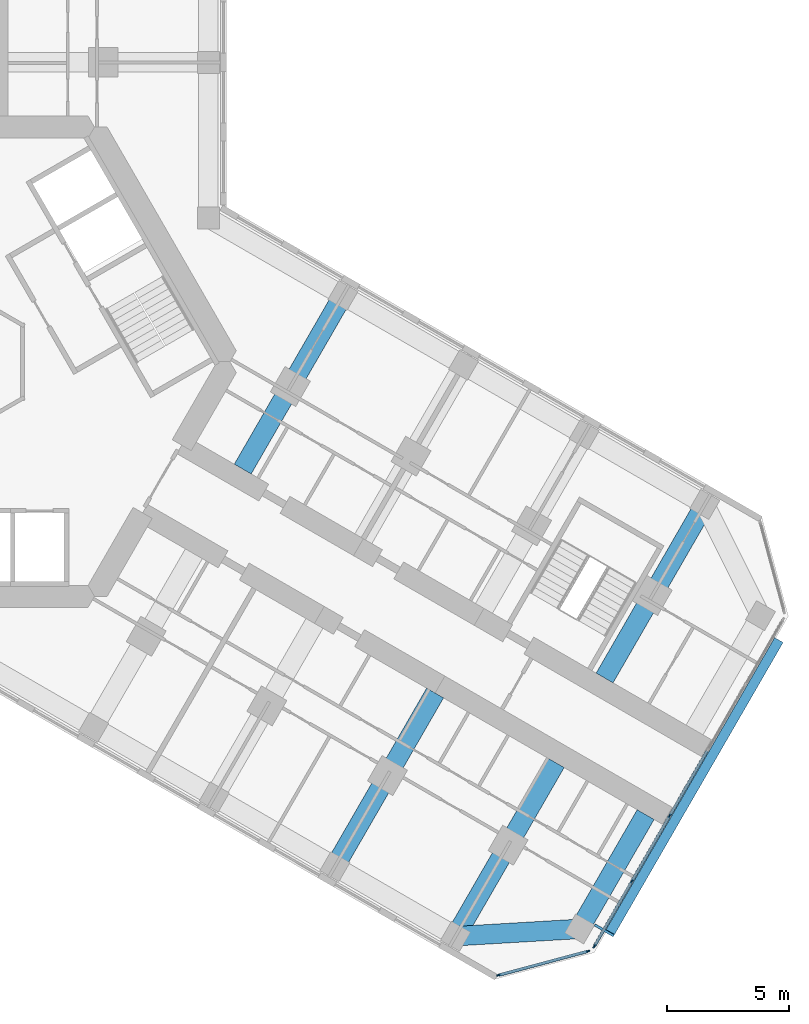
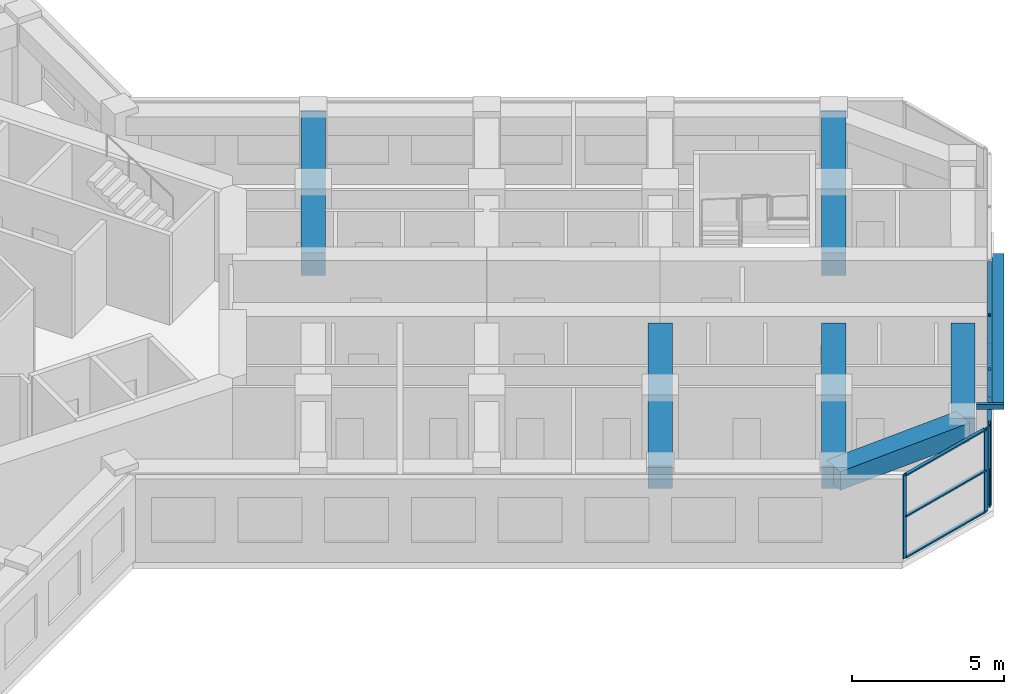
# One storey, part 5 of 19: 16 members, 6 beams, 2 elements without a shape of their own.
"""IFC4 building model written with IfcOpenShell, lengths in metres."""

from ifc_helpers import new_model, si_unit, direction, frame, origin, origin_2d, place, context, subcontext, project, spatial, rectangle, hollow_rectangle, extrude, material, material_profile, profile_set, type_object, element, aggregate, save


model = new_model("IFC4")

# Units and contexts
model_context = context("Model", 3, precision=1e-05, world=origin(), true_north=direction((0.0, 1.0)))
body_context = subcontext(model_context, "Body", "Model", "MODEL_VIEW")
ifc_project = project(units=[si_unit("LENGTHUNIT", "METRE"), si_unit("AREAUNIT", "SQUARE_METRE"), si_unit("VOLUMEUNIT", "CUBIC_METRE"), si_unit("PLANEANGLEUNIT", "RADIAN"), si_unit("MASSUNIT", "GRAM", prefix="KILO")], contexts=[model_context])

# Site, building, storey
site_placement = place(None, origin())
site = spatial("IfcSite", under=ifc_project, at=site_placement, CompositionType="ELEMENT")
building_placement = place(site_placement, origin())
building = spatial("IfcBuilding", under=site, at=building_placement, Name="Kosmar Iwan School Tower", CompositionType="ELEMENT")
storey_placement = place(building_placement, frame((0.0, 0.0, 165.199951171875)))
storey = spatial("IfcBuildingStorey", under=building, at=storey_placement, Name="L41", CompositionType="ELEMENT", Elevation=165.199951171875)

# Members
ifc_material_1 = material(Name="Black anodised aluminium", Category="aluminium")
ifc_material_profile_1 = material_profile(ifc_material_1, rectangle(XDim=0.10009765625, YDim=0.39990234375, at=origin_2d()), Name="FIN 100x400")
ifc_profile_set_1 = profile_set([ifc_material_profile_1], Name="Black anodised aluminium")
member_type_1 = type_object("IfcMemberType", Name="Diagonal fin 100x400", PredefinedType="USERDEFINED", material=ifc_profile_set_1)
member_1_placement = place(storey_placement, frame((33.54345703125, -11.40087890625, -0.14990234375), z_axis=(-0.483795538458, -0.837973939202, 0.252470897702), x_axis=(0.126233699175, 0.218647221293, 0.967604488318)))
element("IfcMember", 1, at=member_1_placement, inside=storey, type_object=member_type_1, Name="Diagonal fin L41-F03", ObjectType="FIN", PredefinedType="USERDEFINED", context=body_context, shape_type="SweptSolid", body=[
    extrude(rectangle(XDim=0.10009765625, YDim=0.39990234375, at=origin_2d()), origin(), (0.0, 0.0, 1.0), 14.258544921875),
])
ifc_material_2 = material(Name="Steel S355", Category="steel")
ifc_material_profile_2 = material_profile(ifc_material_2, hollow_rectangle(XDim=0.10009765625, YDim=0.199951171875, WallThickness=0.008056640625, at=origin_2d()), Name="RHS 200x100x8")
ifc_profile_set_2 = profile_set([ifc_material_profile_2], Name="Steel S355")
member_type_2 = type_object("IfcMemberType", Name="Fin bracket RHS 200x100", PredefinedType="USERDEFINED", material=ifc_profile_set_2)
member_2_placement = place(storey_placement, frame((26.01318359375, -23.0439453125, 3.47509765625), z_axis=(0.866013897511, -0.50001992892, 0.0), x_axis=(0.50001992892, 0.866013897511, 0.0)))
element("IfcMember", 2, at=member_2_placement, inside=storey, type_object=member_type_2, Name="Fin bracket L42", ObjectType="FIN BRACKET", PredefinedType="USERDEFINED", context=body_context, shape_type="SweptSolid", body=[
    extrude(hollow_rectangle(XDim=0.10009765625, YDim=0.199951171875, WallThickness=0.008056640625, at=origin_2d()), origin(), (0.0, 0.0, 1.0), 0.89990234375),
])

# Curtain wall, members
ifc_material_3 = material(Name="Dark glass in black aluminium frame", Category="aluminium")
curtain_wall_type_1 = type_object("IfcCurtainWallType", Name="Chamfer curtain wall dark glass", PredefinedType="USERDEFINED", material=ifc_material_3)
curtain_wall_1_placement = place(storey_placement, origin())
curtain_wall_1 = element("IfcCurtainWall", 3, at=curtain_wall_1_placement, inside=storey, type_object=curtain_wall_type_1, Name="Curtain wall L41-F02", ObjectType="FACETED CURTAIN WALL", PredefinedType="USERDEFINED")
ifc_material_4 = material(Name="Black anodised aluminium", Category="aluminium")
ifc_material_profile_3 = material_profile(ifc_material_4, rectangle(XDim=0.06005859375, YDim=0.159912109375, at=origin_2d()), Name="MULLION 60x160")
ifc_profile_set_3 = profile_set([ifc_material_profile_3], Name="Black anodised aluminium")
member_type_3 = type_object("IfcMemberType", Name="Mullion 60x160", PredefinedType="MULLION", material=ifc_profile_set_3)
member_3_placement = place(storey_placement, frame((22.0830078125, -25.102294921875, 0.0), z_axis=(0.0, 0.0, 1.0), x_axis=(-0.258818861462, 0.965925875495, 0.0)))
member_3 = element("IfcMember", 4, at=member_3_placement, type_object=member_type_3, Name="CW2 mullion 1", PredefinedType="MULLION", context=body_context, shape_type="SweptSolid", body=[
    extrude(rectangle(XDim=0.06005859375, YDim=0.159912109375, at=origin_2d()), origin(), (0.0, 0.0, 1.0), 3.35009765625),
])
member_4_placement = place(storey_placement, frame((25.733154296875, -24.124267578125, 0.0), z_axis=(0.0, 0.0, 1.0), x_axis=(-0.258818861462, 0.965925875495, 0.0)))
member_4 = element("IfcMember", 5, at=member_4_placement, type_object=member_type_3, Name="CW2 mullion 2", PredefinedType="MULLION", context=body_context, shape_type="SweptSolid", body=[
    extrude(rectangle(XDim=0.06005859375, YDim=0.159912109375, at=origin_2d()), origin(), (0.0, 0.0, 1.0), 3.35009765625),
])

ifc_material_5 = material(Name="Dark glass in black aluminium frame", Category="aluminium")
curtain_wall_type_2 = type_object("IfcCurtainWallType", Name="Tower curtain wall dark glass", PredefinedType="USERDEFINED", material=ifc_material_5)
curtain_wall_2_placement = place(storey_placement, origin())
curtain_wall_2 = element("IfcCurtainWall", 6, at=curtain_wall_2_placement, inside=storey, type_object=curtain_wall_type_2, Name="Curtain wall L41-F03", ObjectType="UNITISED CURTAIN WALL", PredefinedType="USERDEFINED")
member_5_placement = place(storey_placement, frame((25.9970703125, -23.921630859375, 0.0), z_axis=(0.0, 0.0, 1.0), x_axis=(-0.866025405329, 0.499999997325, 0.0)))
member_5 = element("IfcMember", 7, at=member_5_placement, type_object=member_type_3, Name="CW1 mullion 1", PredefinedType="MULLION", context=body_context, shape_type="SweptSolid", body=[
    extrude(rectangle(XDim=0.06005859375, YDim=0.159912109375, at=origin_2d()), origin(), (0.0, 0.0, 1.0), 3.35009765625),
])
member_6_placement = place(storey_placement, frame((27.53173828125, -21.263671875, 0.0), z_axis=(0.0, 0.0, 1.0), x_axis=(-0.866025405329, 0.499999997325, 0.0)))
member_6 = element("IfcMember", 8, at=member_6_placement, type_object=member_type_3, Name="CW1 mullion 2", PredefinedType="MULLION", context=body_context, shape_type="SweptSolid", body=[
    extrude(rectangle(XDim=0.06005859375, YDim=0.159912109375, at=origin_2d()), origin(), (0.0, 0.0, 1.0), 3.35009765625),
])
member_7_placement = place(storey_placement, frame((29.081298828125, -18.57958984375, 0.0), z_axis=(0.0, 0.0, 1.0), x_axis=(-0.866025405329, 0.499999997325, 0.0)))
member_7 = element("IfcMember", 9, at=member_7_placement, type_object=member_type_3, Name="CW1 mullion 3", PredefinedType="MULLION", context=body_context, shape_type="SweptSolid", body=[
    extrude(rectangle(XDim=0.06005859375, YDim=0.159912109375, at=origin_2d()), origin(), (0.0, 0.0, 1.0), 3.35009765625),
])

# Beams
ifc_material_6 = material(Name="Concrete C50/60", Category="concrete")
ifc_material_profile_4 = material_profile(ifc_material_6, rectangle(XDim=0.800048828125, YDim=0.75, at=origin_2d()), Name="RC 800x750")
ifc_profile_set_4 = profile_set([ifc_material_profile_4], Name="Concrete C50/60")
beam_type_1 = type_object("IfcBeamType", Name="RC tip beam 800x750", PredefinedType="BEAM", material=ifc_profile_set_4)
beam_1_placement = place(storey_placement, frame((20.31787109375, -23.508544921875, 2.97509765625), z_axis=(0.998260616478, 0.058955420358, 0.0), x_axis=(-0.058955420358, 0.998260616478, 0.0)))
element("IfcBeam", 10, at=beam_1_placement, inside=storey, type_object=beam_type_1, Name="Tip beam CR", PredefinedType="BEAM", context=body_context, shape_type="SweptSolid", body=[
    extrude(rectangle(XDim=0.800048828125, YDim=0.75, at=origin_2d()), origin(), (0.0, 0.0, 1.0), 5.08935546875),
])
beam_2_placement = place(storey_placement, frame((25.3984375, -23.20849609375, 2.97509765625), z_axis=(0.499995103361, 0.866028230842, 0.0), x_axis=(-0.866028230842, 0.499995103361, 0.0)))
element("IfcBeam", 11, at=beam_2_placement, inside=storey, type_object=beam_type_1, Name="Tip beam CR to corridor wall", PredefinedType="BEAM", context=body_context, shape_type="SweptSolid", body=[
    extrude(rectangle(XDim=0.800048828125, YDim=0.75, at=origin_2d()), origin(), (0.0, 0.0, 1.0), 5.39990234375),
])
ifc_material_7 = material(Name="Concrete C50/60", Category="concrete")
ifc_material_profile_5 = material_profile(ifc_material_7, rectangle(XDim=0.800048828125, YDim=0.89990234375, at=origin_2d()), Name="RC 800x900")
ifc_profile_set_5 = profile_set([ifc_material_profile_5], Name="Concrete C50/60")
beam_type_2 = type_object("IfcBeamType", Name="RC transverse beam 800x900", PredefinedType="BEAM", material=ifc_profile_set_5)
for number, where, z_axis, x_axis, name in (
    (12, (15.708740234375, 2.70849609375, 2.900146484375), (-0.499978459874, -0.866037839625, 0.0), (0.866037839625, -0.499978459874, 0.0), "Transverse beam CL1"),
    (13, (30.517822265625, -5.841552734375, 2.900146484375), (-0.500013681986, -0.866017504342, 0.0), (0.866017504342, -0.500013681986, 0.0), "Transverse beam CL4"),
    (14, (15.381591796875, -20.658447265625, 2.900146484375), (0.49999135188, 0.866030396721, 0.0), (-0.866030396721, 0.49999135188, 0.0), "Transverse beam CR3"),
    (15, (20.31787109375, -23.508544921875, 2.900146484375), (0.499978459874, 0.866037839625, 0.0), (-0.866037839625, 0.499978459874, 0.0), "Transverse beam CR4"),
):
    element("IfcBeam", number, at=place(storey_placement, frame(where, z_axis=z_axis, x_axis=x_axis)), inside=storey, type_object=beam_type_2, Name=name, PredefinedType="BEAM", context=body_context, shape_type="SweptSolid", body=[
        extrude(rectangle(XDim=0.800048828125, YDim=0.89990234375, at=origin_2d()), origin(), (0.0, 0.0, 1.0), 8.199951171875),
    ])

# Member
ifc_material_8 = material(Name="Black anodised aluminium", Category="aluminium")
ifc_material_profile_6 = material_profile(ifc_material_8, rectangle(XDim=0.1201171875, YDim=0.06005859375, at=origin_2d()), Name="TRANSOM 60x120")
ifc_profile_set_6 = profile_set([ifc_material_profile_6], Name="Black anodised aluminium")
member_type_4 = type_object("IfcMemberType", Name="Transom 60x120", PredefinedType="USERDEFINED", material=ifc_profile_set_6)
member_8_placement = place(storey_placement, frame((22.11181640625, -25.094482421875, 0.030029296875), z_axis=(0.965923731726, 0.258826861991, 0.0), x_axis=(-0.258826861991, 0.965923731726, 0.0)))
member_8 = element("IfcMember", 16, at=member_8_placement, type_object=member_type_4, Name="CW2 transom 1.1", ObjectType="TRANSOM", PredefinedType="USERDEFINED", context=body_context, shape_type="SweptSolid", body=[
    extrude(rectangle(XDim=0.1201171875, YDim=0.06005859375, at=origin_2d()), origin(), (0.0, 0.0, 1.0), 3.71923828125),
])

member_9_placement = place(storey_placement, frame((22.11181640625, -25.094482421875, 1.675048828125), z_axis=(0.965923731726, 0.258826861991, 0.0), x_axis=(-0.258826861991, 0.965923731726, 0.0)))
member_9 = element("IfcMember", 17, at=member_9_placement, type_object=member_type_4, Name="CW2 transom 1.2", ObjectType="TRANSOM", PredefinedType="USERDEFINED", context=body_context, shape_type="SweptSolid", body=[
    extrude(rectangle(XDim=0.1201171875, YDim=0.06005859375, at=origin_2d()), origin(), (0.0, 0.0, 1.0), 3.71923828125),
])

member_10_placement = place(storey_placement, frame((22.11181640625, -25.094482421875, 3.320068359375), z_axis=(0.965923731726, 0.258826861991, 0.0), x_axis=(-0.258826861991, 0.965923731726, 0.0)))
member_10 = element("IfcMember", 18, at=member_10_placement, type_object=member_type_4, Name="CW2 transom 1.3", ObjectType="TRANSOM", PredefinedType="USERDEFINED", context=body_context, shape_type="SweptSolid", body=[
    extrude(rectangle(XDim=0.1201171875, YDim=0.06005859375, at=origin_2d()), origin(), (0.0, 0.0, 1.0), 3.71923828125),
])

aggregate(curtain_wall_1, [member_3, member_4, member_8, member_9, member_10])

member_11_placement = place(storey_placement, frame((26.01220703125, -23.895751953125, 0.030029296875), z_axis=(0.499986971506, 0.866032925658, 0.0), x_axis=(-0.866032925658, 0.499986971506, 0.0)))
member_11 = element("IfcMember", 19, at=member_11_placement, type_object=member_type_4, Name="CW1 transom 1.1", ObjectType="TRANSOM", PredefinedType="USERDEFINED", context=body_context, shape_type="SweptSolid", body=[
    extrude(rectangle(XDim=0.1201171875, YDim=0.06005859375, at=origin_2d()), origin(), (0.0, 0.0, 1.0), 3.00927734375),
])

member_12_placement = place(storey_placement, frame((26.01220703125, -23.895751953125, 3.320068359375), z_axis=(0.499986971506, 0.866032925658, 0.0), x_axis=(-0.866032925658, 0.499986971506, 0.0)))
member_12 = element("IfcMember", 20, at=member_12_placement, type_object=member_type_4, Name="CW1 transom 1.2", ObjectType="TRANSOM", PredefinedType="USERDEFINED", context=body_context, shape_type="SweptSolid", body=[
    extrude(rectangle(XDim=0.1201171875, YDim=0.06005859375, at=origin_2d()), origin(), (0.0, 0.0, 1.0), 3.00927734375),
])

member_13_placement = place(storey_placement, frame((27.546875, -21.237548828125, 0.030029296875), z_axis=(0.499975102327, 0.866039777986, 0.0), x_axis=(-0.866039777986, 0.499975102327, 0.0)))
member_13 = element("IfcMember", 21, at=member_13_placement, type_object=member_type_4, Name="CW1 transom 2.1", ObjectType="TRANSOM", PredefinedType="USERDEFINED", context=body_context, shape_type="SweptSolid", body=[
    extrude(rectangle(XDim=0.1201171875, YDim=0.06005859375, at=origin_2d()), origin(), (0.0, 0.0, 1.0), 3.039306640625),
])

member_14_placement = place(storey_placement, frame((27.546875, -21.237548828125, 3.320068359375), z_axis=(0.499975102327, 0.866039777986, 0.0), x_axis=(-0.866039777986, 0.499975102327, 0.0)))
member_14 = element("IfcMember", 22, at=member_14_placement, type_object=member_type_4, Name="CW1 transom 2.2", ObjectType="TRANSOM", PredefinedType="USERDEFINED", context=body_context, shape_type="SweptSolid", body=[
    extrude(rectangle(XDim=0.1201171875, YDim=0.06005859375, at=origin_2d()), origin(), (0.0, 0.0, 1.0), 3.039306640625),
])

member_15_placement = place(storey_placement, frame((29.096435546875, -18.553466796875, 0.030029296875), z_axis=(0.499975102327, 0.866039777986, 0.0), x_axis=(-0.866039777986, 0.499975102327, 0.0)))
member_15 = element("IfcMember", 23, at=member_15_placement, type_object=member_type_4, Name="CW1 transom 3.1", ObjectType="TRANSOM", PredefinedType="USERDEFINED", context=body_context, shape_type="SweptSolid", body=[
    extrude(rectangle(XDim=0.1201171875, YDim=0.06005859375, at=origin_2d()), origin(), (0.0, 0.0, 1.0), 3.039306640625),
])

member_16_placement = place(storey_placement, frame((29.096435546875, -18.553466796875, 3.320068359375), z_axis=(0.499975102327, 0.866039777986, 0.0), x_axis=(-0.866039777986, 0.499975102327, 0.0)))
member_16 = element("IfcMember", 24, at=member_16_placement, type_object=member_type_4, Name="CW1 transom 3.2", ObjectType="TRANSOM", PredefinedType="USERDEFINED", context=body_context, shape_type="SweptSolid", body=[
    extrude(rectangle(XDim=0.1201171875, YDim=0.06005859375, at=origin_2d()), origin(), (0.0, 0.0, 1.0), 3.039306640625),
])

aggregate(curtain_wall_2, [member_5, member_6, member_7, member_11, member_12, member_13, member_14, member_15, member_16])

save(model, "model.ifc")
